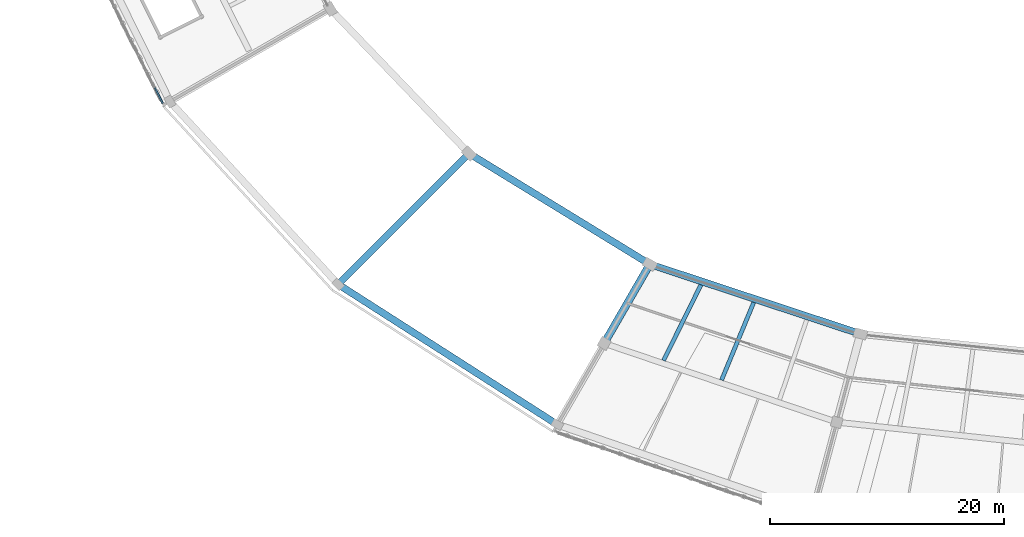
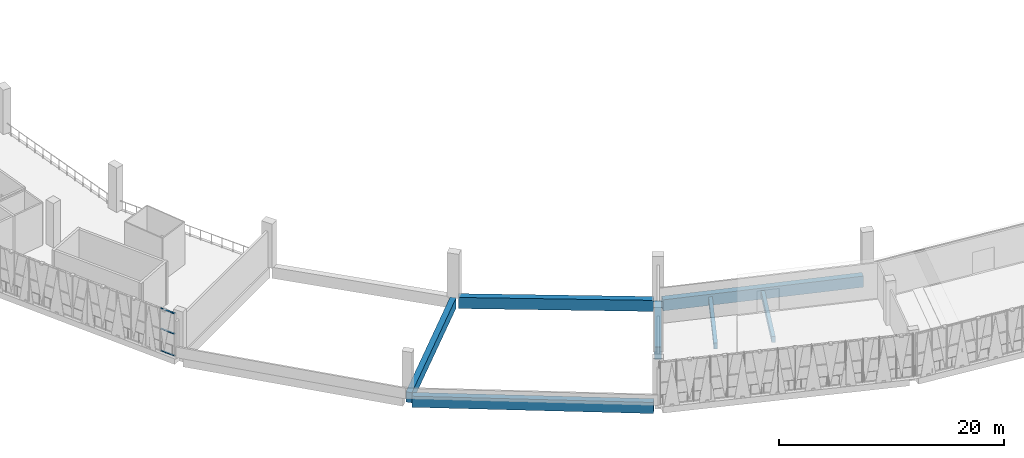
# One storey, part 3 of 64: 7 beams, 3 members, 1 element without a shape of its own.
"""IFC4 building model written with IfcOpenShell, lengths in metres."""

from ifc_helpers import new_model, si_unit, direction, frame, origin, origin_2d, place, context, subcontext, project, spatial, rectangle, extrude, material, material_profile, profile_set, type_object, element, aggregate, save


model = new_model("IFC4")

# Units and contexts
model_context = context("Model", 3, precision=1e-05, world=origin(), true_north=direction((0.0, 1.0)))
body_context = subcontext(model_context, "Body", "Model", "MODEL_VIEW")
ifc_project = project(units=[si_unit("LENGTHUNIT", "METRE"), si_unit("AREAUNIT", "SQUARE_METRE"), si_unit("VOLUMEUNIT", "CUBIC_METRE"), si_unit("PLANEANGLEUNIT", "RADIAN"), si_unit("MASSUNIT", "GRAM", prefix="KILO")], contexts=[model_context])

# Site, building, storey
site_placement = place(None, origin())
site = spatial("IfcSite", under=ifc_project, at=site_placement, CompositionType="ELEMENT")
building_placement = place(site_placement, origin())
building = spatial("IfcBuilding", under=site, at=building_placement, Name="Zevraka Park Crest Stadium", CompositionType="ELEMENT")
storey_placement = place(building_placement, frame((0.0, 0.0, 24.60009765625)))
storey = spatial("IfcBuildingStorey", under=building, at=storey_placement, Name="L05", CompositionType="ELEMENT", Elevation=24.60009765625)

# Beams
ifc_material_1 = material(Name="Concrete C40/50", Category="concrete")
ifc_material_profile_1 = material_profile(ifc_material_1, rectangle(XDim=0.64990234375, YDim=1.35009765625, at=origin_2d()), Name="RC 1350x650")
ifc_profile_set_1 = profile_set([ifc_material_profile_1], Name="Concrete C40/50")
beam_type_1 = type_object("IfcBeamType", Name="BG01", PredefinedType="BEAM", material=ifc_profile_set_1)
beam_1_placement = place(storey_placement, frame((74.60009765625, 40.2109375, -0.68505859375), z_axis=(-0.500041424909, -0.866001485781, 0.0), x_axis=(0.866001485781, -0.500041424909, 0.0)))
element("IfcBeam", 1, at=beam_1_placement, inside=storey, type_object=beam_type_1, Name="Radial Girder BG01 L05-BC-16", PredefinedType="BEAM", context=body_context, shape_type="SweptSolid", body=[
    extrude(rectangle(XDim=0.64990234375, YDim=1.35009765625, at=origin_2d()), origin(), (0.0, 0.0, 1.0), 7.19970703125),
])
ifc_material_2 = material(Name="Concrete C40/50", Category="concrete")
ifc_material_profile_2 = material_profile(ifc_material_2, rectangle(XDim=0.550048828125, YDim=1.10009765625, at=origin_2d()), Name="RC 1100x550")
ifc_profile_set_2 = profile_set([ifc_material_profile_2], Name="Concrete C40/50")
beam_type_2 = type_object("IfcBeamType", Name="BG02", PredefinedType="BEAM", material=ifc_profile_set_2)
beam_2_placement = place(storey_placement, frame((59.10888671875, 49.715087890625, -0.56005859375), z_axis=(-0.707130872727, -0.707082688826, 0.0), x_axis=(0.707082688826, -0.707130872727, 0.0)))
element("IfcBeam", 2, at=beam_2_placement, inside=storey, type_object=beam_type_2, Name="Radial Girder BG02 L05-BD-15", PredefinedType="BEAM", context=body_context, shape_type="SweptSolid", body=[
    extrude(rectangle(XDim=0.550048828125, YDim=1.10009765625, at=origin_2d()), origin(), (0.0, 0.0, 1.0), 15.200439453125),
])

# Curtain wall, members
ifc_material_3 = material(Name="Anodised architectural aluminium and laminated safety glass", Category="aluminium")
curtain_wall_type = type_object("IfcCurtainWallType", Name="CW22", PredefinedType="NOTDEFINED", material=ifc_material_3)
curtain_wall_placement = place(storey_placement, origin())
curtain_wall = element("IfcCurtainWall", 3, at=curtain_wall_placement, inside=storey, type_object=curtain_wall_type, Name="Unitised Ring Curtain Wall CW22 L05-13", PredefinedType="NOTDEFINED")
ifc_material_4 = material(Name="Anodised architectural aluminium", Category="aluminium")
ifc_material_profile_3 = material_profile(ifc_material_4, rectangle(XDim=0.1201171875, YDim=0.06005859375, at=origin_2d()), Name="ALU TRANSOM 120x60")
ifc_profile_set_3 = profile_set([ifc_material_profile_3], Name="Anodised architectural aluminium")
member_type = type_object("IfcMemberType", Name="CT01", PredefinedType="USERDEFINED", material=ifc_profile_set_3)
member_1_placement = place(storey_placement, frame((32.524658203125, 55.52490234375, 0.02978515625), z_axis=(0.444272737826, -0.895891586312, 0.0), x_axis=(0.895891586312, 0.444272737826, 0.0)))
member_1 = element("IfcMember", 4, at=member_1_placement, type_object=member_type, Name="CW22 transom 13.1", ObjectType="TRANSOM", PredefinedType="USERDEFINED", context=body_context, shape_type="SweptSolid", body=[
    extrude(rectangle(XDim=0.1201171875, YDim=0.06005859375, at=origin_2d()), origin(), (0.0, 0.0, 1.0), 1.46240234375),
])
member_2_placement = place(storey_placement, frame((32.524658203125, 55.52490234375, 2.39990234375), z_axis=(0.444272737826, -0.895891586312, 0.0), x_axis=(0.895891586312, 0.444272737826, 0.0)))
member_2 = element("IfcMember", 5, at=member_2_placement, type_object=member_type, Name="CW22 transom 13.2", ObjectType="TRANSOM", PredefinedType="USERDEFINED", context=body_context, shape_type="SweptSolid", body=[
    extrude(rectangle(XDim=0.1201171875, YDim=0.06005859375, at=origin_2d()), origin(), (0.0, 0.0, 1.0), 1.46240234375),
])
member_3_placement = place(storey_placement, frame((32.524658203125, 55.52490234375, 4.58984375), z_axis=(0.444272737826, -0.895891586312, 0.0), x_axis=(0.895891586312, 0.444272737826, 0.0)))
member_3 = element("IfcMember", 6, at=member_3_placement, type_object=member_type, Name="CW22 transom 13.3", ObjectType="TRANSOM", PredefinedType="USERDEFINED", context=body_context, shape_type="SweptSolid", body=[
    extrude(rectangle(XDim=0.1201171875, YDim=0.06005859375, at=origin_2d()), origin(), (0.0, 0.0, 1.0), 1.46240234375),
])
aggregate(curtain_wall, [member_1, member_2, member_3])

# Beams
ifc_material_5 = material(Name="Concrete C40/50", Category="concrete")
ifc_material_profile_4 = material_profile(ifc_material_5, rectangle(XDim=0.60009765625, YDim=1.199951171875, at=origin_2d()), Name="RC 1200x600")
ifc_profile_set_4 = profile_set([ifc_material_profile_4], Name="Concrete C40/50")
beam_type_3 = type_object("IfcBeamType", Name="RB01", PredefinedType="BEAM", material=ifc_profile_set_4)
beam_3_placement = place(storey_placement, frame((59.64501953125, 49.72802734375, -0.610107421875), z_axis=(0.852632623571, -0.522510869956, 0.0), x_axis=(0.522510869956, 0.852632623571, 0.0)))
element("IfcBeam", 7, at=beam_3_placement, inside=storey, type_object=beam_type_3, Name="Ring Beam RB01 L05-B-15", PredefinedType="BEAM", context=body_context, shape_type="SweptSolid", body=[
    extrude(rectangle(XDim=0.60009765625, YDim=1.199951171875, at=origin_2d()), origin(), (0.0, 0.0, 1.0), 17.335693359375),
])
beam_4_placement = place(storey_placement, frame((48.468017578125, 38.550048828125, -0.610107421875), z_axis=(0.842325571453, -0.538969045193, 0.0), x_axis=(0.538969045193, 0.842325571453, 0.0)))
element("IfcBeam", 8, at=beam_4_placement, inside=storey, type_object=beam_type_3, Name="Ring Beam RB01 L05-D-15", PredefinedType="BEAM", context=body_context, shape_type="SweptSolid", body=[
    extrude(rectangle(XDim=0.60009765625, YDim=1.199951171875, at=origin_2d()), origin(), (0.0, 0.0, 1.0), 21.443115234375),
])
beam_5_placement = place(storey_placement, frame((75.111083984375, 40.35205078125, -0.610107421875), z_axis=(0.949383863235, -0.314118258349, 0.0), x_axis=(0.314118258349, 0.949383863235, 0.0)))
element("IfcBeam", 9, at=beam_5_placement, inside=storey, type_object=beam_type_3, Name="Ring Beam RB01 L05-B-16", PredefinedType="BEAM", context=body_context, shape_type="SweptSolid", body=[
    extrude(rectangle(XDim=0.60009765625, YDim=1.199951171875, at=origin_2d()), origin(), (0.0, 0.0, 1.0), 18.165283203125),
])
ifc_material_6 = material(Name="Concrete C40/50", Category="concrete")
ifc_material_profile_5 = material_profile(ifc_material_6, rectangle(XDim=0.35009765625, YDim=0.64990234375, at=origin_2d()), Name="RC 650x350")
ifc_profile_set_5 = profile_set([ifc_material_profile_5], Name="Concrete C40/50")
beam_type_4 = type_object("IfcBeamType", Name="SJ06", PredefinedType="JOIST", material=ifc_profile_set_5)
beam_6_placement = place(storey_placement, frame((79.10302734375, 38.702880859375, -0.593017578125), z_axis=(-0.442549118131, -0.896744265686, 0.0), x_axis=(0.896744265686, -0.442549118131, 0.0)))
element("IfcBeam", 10, at=beam_6_placement, inside=storey, type_object=beam_type_4, Name="Floor Joist SJ06 L05-BC-16-1", PredefinedType="JOIST", context=body_context, shape_type="SweptSolid", body=[
    extrude(rectangle(XDim=0.35009765625, YDim=0.64990234375, at=origin_2d()), origin(), (0.0, 0.0, 1.0), 7.1904296875),
])
beam_7_placement = place(storey_placement, frame((83.613037109375, 37.2080078125, -0.593017578125), z_axis=(-0.382700487371, -0.923872467912, 0.0), x_axis=(0.923872467912, -0.382700487371, 0.0)))
element("IfcBeam", 11, at=beam_7_placement, inside=storey, type_object=beam_type_4, Name="Floor Joist SJ06 L05-BC-16-2", PredefinedType="JOIST", context=body_context, shape_type="SweptSolid", body=[
    extrude(rectangle(XDim=0.35009765625, YDim=0.64990234375, at=origin_2d()), origin(), (0.0, 0.0, 1.0), 7.173095703125),
])

save(model, "model.ifc")
